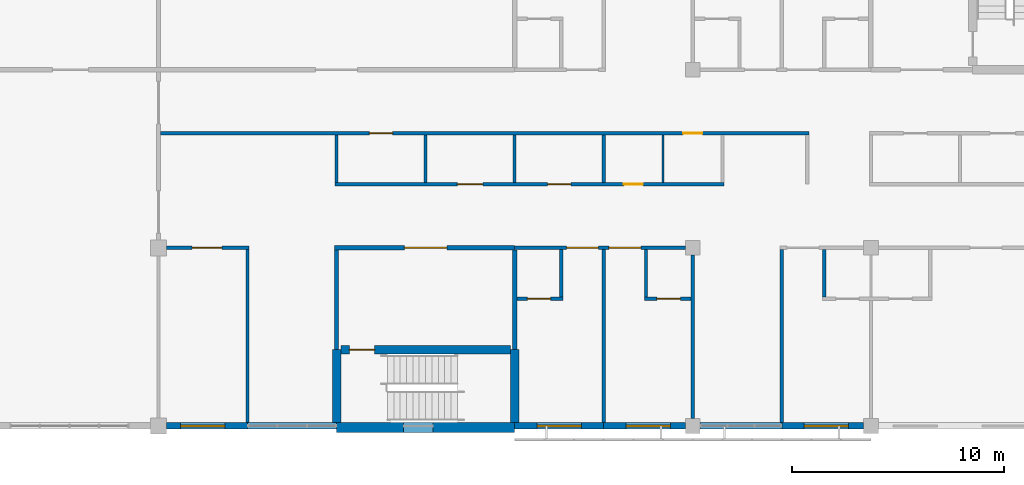
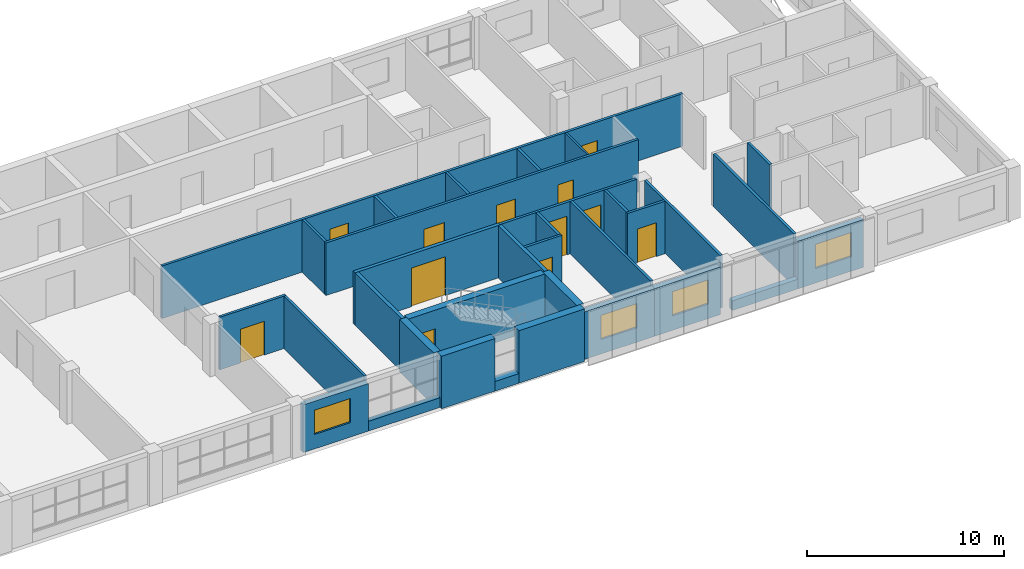
# One storey, part 35 of 45: 33 walls, 12 doors, 4 windows, 16 openings.
"""IFC4 building model written with IfcOpenShell, lengths in metres."""

from ifc_helpers import new_model, si_unit, direction, frame, frame_2d, origin, place, context, subcontext, project, spatial, rectangle, extrude, material, layer, layer_set, type_object, element, fill, save


model = new_model("IFC4")

# Units and contexts
model_context = context("Model", 3, precision=1e-05, world=origin(), true_north=direction((0.0, 1.0)))
body_context = subcontext(model_context, "Body", "Model", "MODEL_VIEW")
ifc_project = project(units=[si_unit("LENGTHUNIT", "METRE"), si_unit("AREAUNIT", "SQUARE_METRE"), si_unit("VOLUMEUNIT", "CUBIC_METRE"), si_unit("PLANEANGLEUNIT", "RADIAN"), si_unit("MASSUNIT", "GRAM", prefix="KILO")], contexts=[model_context])

# Site, building, storey
site_placement = place(None, origin())
site = spatial("IfcSite", under=ifc_project, at=site_placement, CompositionType="ELEMENT")
building_placement = place(site_placement, origin())
building = spatial("IfcBuilding", under=site, at=building_placement, Name="Yavir Park General Hospital", CompositionType="ELEMENT")
storey_placement = place(building_placement, frame((0.0, 0.0, 22.5)))
storey = spatial("IfcBuildingStorey", under=building, at=storey_placement, Name="L05", CompositionType="ELEMENT", Elevation=22.5)

# Wall, opening, door
ifc_material_1 = material(Name="Double gypsum board fire partition on steel studs", Category="steel")
ifc_layer_1 = layer(ifc_material_1, 0.199951171875)
ifc_layer_set_1 = layer_set([ifc_layer_1], Name="Double gypsum board fire partition on steel studs")
wall_type_1 = type_object("IfcWallType", Name="Fire-rated partition 200, EI 60", PredefinedType="PARTITIONING", material=ifc_layer_set_1)
wall_1_placement = place(storey_placement, frame((134.300048828125, 8.39990234375, 0.0), z_axis=(0.0, 0.0, 1.0), x_axis=(1.0, 0.0, 0.0)))
wall_1 = element("IfcWall", 1, at=wall_1_placement, inside=storey, type_object=wall_type_1, Name="FP20 L05-017", PredefinedType="PARTITIONING", context=body_context, shape_type="SweptSolid", body=[
    extrude(rectangle(XDim=8.5, YDim=0.199951171875, at=frame_2d((4.25, 0.0))), origin(), (0.0, 0.0, 1.0), 3.260009765625),
])
opening_1_placement = place(wall_1_placement, frame((3.300048828125, 0.0, 0.0)))
opening_1 = element("IfcOpeningElement", 2, at=opening_1_placement, cuts=wall_1, Name="Opening L05.D021", PredefinedType="OPENING", context=body_context, shape_type="SweptSolid", body=[
    extrude(rectangle(XDim=2.0, YDim=2.39990234375, at=frame_2d((1.0, 1.199951171875))), frame((0.0, 0.10986328125, 0.0), z_axis=(0.0, -1.0, 0.0), x_axis=(1.0, 0.0, 0.0)), (0.0, 0.0, 1.0), 0.219970703125),
])
ifc_material_2 = material(Name="Steel frame, fire-resisting leaves with vision panels", Category="steel")
door_type_1 = type_object("IfcDoorType", Name="Double fire door with vision panels 2000 x 2400, EI 60", OperationType="DOUBLE_DOOR_SINGLE_SWING", PredefinedType="DOOR", material=ifc_material_2)
door_1_placement = place(opening_1_placement, origin())
door_1 = element("IfcDoor", 3, at=door_1_placement, inside=storey, type_object=door_type_1, Name="L05.D021", OperationType="SINGLE_SWING_LEFT", OverallHeight=2.39990234375, OverallWidth=2.0, PredefinedType="DOOR", context=body_context, shape_type="SweptSolid", body=[
    extrude(rectangle(XDim=2.0, YDim=2.39990234375, at=frame_2d((1.0, 1.199951171875))), frame((0.0, 0.030029296875, 0.0), z_axis=(0.0, -1.0, 0.0), x_axis=(1.0, 0.0, 0.0)), (0.0, 0.0, 1.0), 0.06005859375),
])
fill(opening_1, door_1)

# Walls
for number, where, z_axis, x_axis, name in (
    (4, (134.39990234375, 3.60009765625, 0.0), (0.0, 0.0, 1.0), (0.0, 1.0, 0.0), "FP20 L05-240"),
    (5, (142.800048828125, 3.60009765625, 0.0), (0.0, 0.0, 1.0), (0.0, 1.0, 0.0), "FP20 L05-246"),
):
    element("IfcWall", number, at=place(storey_placement, frame(where, z_axis=z_axis, x_axis=x_axis)), inside=storey, type_object=wall_type_1, Name=name, PredefinedType="PARTITIONING", context=body_context, shape_type="SweptSolid", body=[
        extrude(rectangle(XDim=4.699951171875, YDim=0.199951171875, at=frame_2d((2.35009765625, 0.0))), origin(), (0.0, 0.0, 1.0), 3.260009765625),
    ])
ifc_material_3 = material(Name="Gypsum board partition on steel studs", Category="steel")
ifc_layer_2 = layer(ifc_material_3, 0.10009765625)
ifc_layer_set_2 = layer_set([ifc_layer_2], Name="Gypsum board partition on steel studs")
wall_type_2 = type_object("IfcWallType", Name="Gypsum board partition 100", PredefinedType="PARTITIONING", material=ifc_layer_set_2)
wall_2_placement = place(storey_placement, frame((149.800048828125, 11.47509765625, 0.0), z_axis=(0.0, 0.0, 1.0), x_axis=(0.0, 1.0, 0.0)))
element("IfcWall", 6, at=wall_2_placement, inside=storey, type_object=wall_type_2, Name="P10 L05-256", PredefinedType="PARTITIONING", context=body_context, shape_type="SweptSolid", body=[
    extrude(rectangle(XDim=2.25, YDim=0.10009765625, at=frame_2d((1.125, 0.0))), origin(), (0.0, 0.0, 1.0), 3.260009765625),
])

# Wall, opening, door
ifc_material_4 = material(Name="Gypsum board partition on steel studs", Category="steel")
ifc_layer_3 = layer(ifc_material_4, 0.14990234375)
ifc_layer_set_3 = layer_set([ifc_layer_3], Name="Gypsum board partition on steel studs")
wall_type_3 = type_object("IfcWallType", Name="Gypsum board partition 150", PredefinedType="PARTITIONING", material=ifc_layer_set_3)
wall_3_placement = place(storey_placement, frame((142.89990234375, 6.0, 0.0), z_axis=(0.0, 0.0, 1.0), x_axis=(1.0, 0.0, 0.0)))
wall_3 = element("IfcWall", 7, at=wall_3_placement, inside=storey, type_object=wall_type_3, Name="P15 L05-008", PredefinedType="PARTITIONING", context=body_context, shape_type="SweptSolid", body=[
    extrude(rectangle(XDim=2.175048828125, YDim=0.14990234375, at=frame_2d((1.08740234375, 0.0))), origin(), (0.0, 0.0, 1.0), 3.260009765625),
])
opening_2_placement = place(wall_3_placement, frame((0.5, 0.0, 0.0)))
opening_2 = element("IfcOpeningElement", 8, at=opening_2_placement, cuts=wall_3, Name="Opening L05.D009", PredefinedType="OPENING", context=body_context, shape_type="SweptSolid", body=[
    extrude(rectangle(XDim=1.10009765625, YDim=2.10009765625, at=frame_2d((0.550048828125, 1.050048828125))), frame((0.0, 0.0849609375, 0.0), z_axis=(0.0, -1.0, 0.0), x_axis=(1.0, 0.0, 0.0)), (0.0, 0.0, 1.0), 0.169921875),
])
ifc_material_5 = material(Name="Hollow metal frame, solid-core timber leaf", Category="wood")
door_type_2 = type_object("IfcDoorType", Name="Single swing door 1100 x 2100", OperationType="SINGLE_SWING_LEFT", PredefinedType="DOOR", material=ifc_material_5)
door_2_placement = place(opening_2_placement, origin())
door_2 = element("IfcDoor", 9, at=door_2_placement, inside=storey, type_object=door_type_2, Name="L05.D009", OperationType="SINGLE_SWING_LEFT", OverallHeight=2.10009765625, OverallWidth=1.10009765625, PredefinedType="DOOR", context=body_context, shape_type="SweptSolid", body=[
    extrude(rectangle(XDim=1.10009765625, YDim=2.10009765625, at=frame_2d((0.550048828125, 1.050048828125))), frame((0.0, 0.02490234375, 0.0), z_axis=(0.0, -1.0, 0.0), x_axis=(1.0, 0.0, 0.0)), (0.0, 0.0, 1.0), 0.050048828125),
])
fill(opening_2, door_2)

wall_4_placement = place(storey_placement, frame((148.925048828125, 6.0, 0.0), z_axis=(0.0, 0.0, 1.0), x_axis=(1.0, 0.0, 0.0)))
wall_4 = element("IfcWall", 10, at=wall_4_placement, inside=storey, type_object=wall_type_3, Name="P15 L05-009", PredefinedType="PARTITIONING", context=body_context, shape_type="SweptSolid", body=[
    extrude(rectangle(XDim=2.199951171875, YDim=0.14990234375, at=frame_2d((1.10009765625, 0.0))), origin(), (0.0, 0.0, 1.0), 3.260009765625),
])
opening_3_placement = place(wall_4_placement, frame((0.58740234375, 0.0, 0.0)))
opening_3 = element("IfcOpeningElement", 11, at=opening_3_placement, cuts=wall_4, Name="Opening L05.D010", PredefinedType="OPENING", context=body_context, shape_type="SweptSolid", body=[
    extrude(rectangle(XDim=1.10009765625, YDim=2.10009765625, at=frame_2d((0.550048828125, 1.050048828125))), frame((0.0, 0.0849609375, 0.0), z_axis=(0.0, -1.0, 0.0), x_axis=(1.0, 0.0, 0.0)), (0.0, 0.0, 1.0), 0.169921875),
])
door_3_placement = place(opening_3_placement, origin())
door_3 = element("IfcDoor", 12, at=door_3_placement, inside=storey, type_object=door_type_2, Name="L05.D010", OperationType="SINGLE_SWING_RIGHT", OverallHeight=2.10009765625, OverallWidth=1.10009765625, PredefinedType="DOOR", context=body_context, shape_type="SweptSolid", body=[
    extrude(rectangle(XDim=1.10009765625, YDim=2.10009765625, at=frame_2d((0.550048828125, 1.050048828125))), frame((0.0, 0.02490234375, 0.0), z_axis=(0.0, -1.0, 0.0), x_axis=(1.0, 0.0, 0.0)), (0.0, 0.0, 1.0), 0.050048828125),
])
fill(opening_3, door_3)

wall_5_placement = place(storey_placement, frame((126.375, 8.39990234375, 0.0), z_axis=(0.0, 0.0, 1.0), x_axis=(1.0, 0.0, 0.0)))
wall_5 = element("IfcWall", 13, at=wall_5_placement, inside=storey, type_object=wall_type_3, Name="P15 L05-016", PredefinedType="PARTITIONING", context=body_context, shape_type="SweptSolid", body=[
    extrude(rectangle(XDim=3.89990234375, YDim=0.14990234375, at=frame_2d((1.949951171875, 0.0))), origin(), (0.0, 0.0, 1.0), 3.260009765625),
])
opening_4_placement = place(wall_5_placement, frame((1.21240234375, 0.0, 0.0)))
opening_4 = element("IfcOpeningElement", 14, at=opening_4_placement, cuts=wall_5, Name="Opening L05.D020", PredefinedType="OPENING", context=body_context, shape_type="SweptSolid", body=[
    extrude(rectangle(XDim=1.39990234375, YDim=2.10009765625, at=frame_2d((0.699951171875, 1.050048828125))), frame((0.0, 0.0849609375, 0.0), z_axis=(0.0, -1.0, 0.0), x_axis=(1.0, 0.0, 0.0)), (0.0, 0.0, 1.0), 0.169921875),
])
ifc_material_6 = material(Name="Hollow metal frame, solid-core timber leaf", Category="wood")
door_type_3 = type_object("IfcDoorType", Name="Single swing door 1400 x 2100", OperationType="SINGLE_SWING_LEFT", PredefinedType="DOOR", material=ifc_material_6)
door_4_placement = place(opening_4_placement, origin())
door_4 = element("IfcDoor", 15, at=door_4_placement, inside=storey, type_object=door_type_3, Name="L05.D020", OperationType="SINGLE_SWING_RIGHT", OverallHeight=2.10009765625, OverallWidth=1.39990234375, PredefinedType="DOOR", context=body_context, shape_type="SweptSolid", body=[
    extrude(rectangle(XDim=1.39990234375, YDim=2.10009765625, at=frame_2d((0.699951171875, 1.050048828125))), frame((0.0, 0.02490234375, 0.0), z_axis=(0.0, -1.0, 0.0), x_axis=(1.0, 0.0, 0.0)), (0.0, 0.0, 1.0), 0.050048828125),
])
fill(opening_4, door_4)

# Wall, openings, doors
wall_6_placement = place(storey_placement, frame((142.800048828125, 8.39990234375, 0.0), z_axis=(0.0, 0.0, 1.0), x_axis=(1.0, 0.0, 0.0)))
wall_6 = element("IfcWall", 16, at=wall_6_placement, inside=storey, type_object=wall_type_3, Name="P15 L05-018", PredefinedType="PARTITIONING", context=body_context, shape_type="SweptSolid", body=[
    extrude(rectangle(XDim=8.050048828125, YDim=0.14990234375, at=frame_2d((4.02490234375, 0.0))), origin(), (0.0, 0.0, 1.0), 3.260009765625),
])
opening_5_placement = place(wall_6_placement, frame((2.449951171875, 0.0, 0.0)))
opening_5 = element("IfcOpeningElement", 17, at=opening_5_placement, cuts=wall_6, Name="Opening L05.D022", PredefinedType="OPENING", context=body_context, shape_type="SweptSolid", body=[
    extrude(rectangle(XDim=1.5, YDim=2.39990234375, at=frame_2d((0.75, 1.199951171875))), frame((0.0, 0.0849609375, 0.0), z_axis=(0.0, -1.0, 0.0), x_axis=(1.0, 0.0, 0.0)), (0.0, 0.0, 1.0), 0.169921875),
])
opening_6_placement = place(wall_6_placement, frame((4.449951171875, 0.0, 0.0)))
opening_6 = element("IfcOpeningElement", 18, at=opening_6_placement, cuts=wall_6, Name="Opening L05.D023", PredefinedType="OPENING", context=body_context, shape_type="SweptSolid", body=[
    extrude(rectangle(XDim=1.5, YDim=2.39990234375, at=frame_2d((0.75, 1.199951171875))), frame((0.0, 0.0849609375, 0.0), z_axis=(0.0, -1.0, 0.0), x_axis=(1.0, 0.0, 0.0)), (0.0, 0.0, 1.0), 0.169921875),
])
ifc_material_7 = material(Name="Solid-core timber leaves, push plates, kick plates", Category="wood")
door_type_4 = type_object("IfcDoorType", Name="Bed door, unequal leaves 1500 x 2400", OperationType="DOUBLE_DOOR_SINGLE_SWING", PredefinedType="DOOR", material=ifc_material_7)
door_5_placement = place(opening_5_placement, origin())
door_5 = element("IfcDoor", 19, at=door_5_placement, inside=storey, type_object=door_type_4, Name="L05.D022", OperationType="SINGLE_SWING_LEFT", OverallHeight=2.39990234375, OverallWidth=1.5, PredefinedType="DOOR", context=body_context, shape_type="SweptSolid", body=[
    extrude(rectangle(XDim=1.5, YDim=2.39990234375, at=frame_2d((0.75, 1.199951171875))), frame((0.0, 0.030029296875, 0.0), z_axis=(0.0, -1.0, 0.0), x_axis=(1.0, 0.0, 0.0)), (0.0, 0.0, 1.0), 0.06005859375),
])
fill(opening_5, door_5)
door_6_placement = place(opening_6_placement, origin())
door_6 = element("IfcDoor", 20, at=door_6_placement, inside=storey, type_object=door_type_4, Name="L05.D023", OperationType="SINGLE_SWING_LEFT", OverallHeight=2.39990234375, OverallWidth=1.5, PredefinedType="DOOR", context=body_context, shape_type="SweptSolid", body=[
    extrude(rectangle(XDim=1.5, YDim=2.39990234375, at=frame_2d((0.75, 1.199951171875))), frame((0.0, 0.030029296875, 0.0), z_axis=(0.0, -1.0, 0.0), x_axis=(1.0, 0.0, 0.0)), (0.0, 0.0, 1.0), 0.06005859375),
])
fill(opening_6, door_6)

wall_7_placement = place(storey_placement, frame((134.324951171875, 11.39990234375, 0.0), z_axis=(0.0, 0.0, 1.0), x_axis=(1.0, 0.0, 0.0)))
wall_7 = element("IfcWall", 21, at=wall_7_placement, inside=storey, type_object=wall_type_3, Name="P15 L05-023", PredefinedType="PARTITIONING", context=body_context, shape_type="SweptSolid", body=[
    extrude(rectangle(XDim=18.35009765625, YDim=0.14990234375, at=frame_2d((9.175048828125, 0.0))), origin(), (0.0, 0.0, 1.0), 3.260009765625),
])
opening_7_placement = place(wall_7_placement, frame((5.77490234375, 0.0, 0.0)))
opening_7 = element("IfcOpeningElement", 22, at=opening_7_placement, cuts=wall_7, Name="Opening L05.D026", PredefinedType="OPENING", context=body_context, shape_type="SweptSolid", body=[
    extrude(rectangle(XDim=1.199951171875, YDim=2.10009765625, at=frame_2d((0.60009765625, 1.050048828125))), frame((0.0, 0.0849609375, 0.0), z_axis=(0.0, -1.0, 0.0), x_axis=(1.0, 0.0, 0.0)), (0.0, 0.0, 1.0), 0.169921875),
])
opening_8_placement = place(wall_7_placement, frame((10.02490234375, 0.0, 0.0)))
opening_8 = element("IfcOpeningElement", 23, at=opening_8_placement, cuts=wall_7, Name="Opening L05.D027", PredefinedType="OPENING", context=body_context, shape_type="SweptSolid", body=[
    extrude(rectangle(XDim=1.10009765625, YDim=2.10009765625, at=frame_2d((0.550048828125, 1.050048828125))), frame((0.0, 0.0849609375, 0.0), z_axis=(0.0, -1.0, 0.0), x_axis=(1.0, 0.0, 0.0)), (0.0, 0.0, 1.0), 0.169921875),
])
opening_9_placement = place(wall_7_placement, frame((13.625, 0.0, 0.0)))
opening_9 = element("IfcOpeningElement", 24, at=opening_9_placement, cuts=wall_7, Name="Opening L05.D028", PredefinedType="OPENING", context=body_context, shape_type="SweptSolid", body=[
    extrude(rectangle(XDim=0.89990234375, YDim=2.10009765625, at=frame_2d((0.449951171875, 1.050048828125))), frame((0.0, 0.0849609375, 0.0), z_axis=(0.0, -1.0, 0.0), x_axis=(1.0, 0.0, 0.0)), (0.0, 0.0, 1.0), 0.169921875),
])
ifc_material_8 = material(Name="Timber frame, hollow-core leaf", Category="wood")
door_type_5 = type_object("IfcDoorType", Name="Light cupboard door 900 x 2100", OperationType="SINGLE_SWING_LEFT", PredefinedType="DOOR", material=ifc_material_8)
door_7_placement = place(opening_9_placement, origin())
door_7 = element("IfcDoor", 25, at=door_7_placement, inside=storey, type_object=door_type_5, Name="L05.D028", OperationType="SINGLE_SWING_RIGHT", OverallHeight=2.10009765625, OverallWidth=0.89990234375, PredefinedType="DOOR", context=body_context, shape_type="SweptSolid", body=[
    extrude(rectangle(XDim=0.89990234375, YDim=2.10009765625, at=frame_2d((0.449951171875, 1.050048828125))), frame((0.0, 0.02001953125, 0.0), z_axis=(0.0, -1.0, 0.0), x_axis=(1.0, 0.0, 0.0)), (0.0, 0.0, 1.0), 0.0400390625),
])
fill(opening_9, door_7)
door_8_placement = place(opening_8_placement, origin())
door_8 = element("IfcDoor", 26, at=door_8_placement, inside=storey, type_object=door_type_2, Name="L05.D027", OperationType="SINGLE_SWING_RIGHT", OverallHeight=2.10009765625, OverallWidth=1.10009765625, PredefinedType="DOOR", context=body_context, shape_type="SweptSolid", body=[
    extrude(rectangle(XDim=1.10009765625, YDim=2.10009765625, at=frame_2d((0.550048828125, 1.050048828125))), frame((0.0, 0.02490234375, 0.0), z_axis=(0.0, -1.0, 0.0), x_axis=(1.0, 0.0, 0.0)), (0.0, 0.0, 1.0), 0.050048828125),
])
fill(opening_8, door_8)
ifc_material_9 = material(Name="Hollow metal frame, solid-core timber leaf", Category="wood")
door_type_6 = type_object("IfcDoorType", Name="Single swing door 1200 x 2100", OperationType="SINGLE_SWING_LEFT", PredefinedType="DOOR", material=ifc_material_9)
door_9_placement = place(opening_7_placement, origin())
door_9 = element("IfcDoor", 27, at=door_9_placement, inside=storey, type_object=door_type_6, Name="L05.D026", OperationType="SINGLE_SWING_RIGHT", OverallHeight=2.10009765625, OverallWidth=1.199951171875, PredefinedType="DOOR", context=body_context, shape_type="SweptSolid", body=[
    extrude(rectangle(XDim=1.199951171875, YDim=2.10009765625, at=frame_2d((0.60009765625, 1.050048828125))), frame((0.0, 0.02490234375, 0.0), z_axis=(0.0, -1.0, 0.0), x_axis=(1.0, 0.0, 0.0)), (0.0, 0.0, 1.0), 0.050048828125),
])
fill(opening_7, door_9)

wall_8_placement = place(storey_placement, frame((126.10009765625, 13.800048828125, 0.0), z_axis=(0.0, 0.0, 1.0), x_axis=(1.0, 0.0, 0.0)))
wall_8 = element("IfcWall", 28, at=wall_8_placement, inside=storey, type_object=wall_type_3, Name="P15 L05-029", PredefinedType="PARTITIONING", context=body_context, shape_type="SweptSolid", body=[
    extrude(rectangle(XDim=30.574951171875, YDim=0.14990234375, at=frame_2d((15.28759765625, 0.0))), origin(), (0.0, 0.0, 1.0), 3.260009765625),
])
opening_10_placement = place(wall_8_placement, frame((9.85009765625, 0.0, 0.0)))
opening_10 = element("IfcOpeningElement", 29, at=opening_10_placement, cuts=wall_8, Name="Opening L05.D031", PredefinedType="OPENING", context=body_context, shape_type="SweptSolid", body=[
    extrude(rectangle(XDim=1.10009765625, YDim=2.10009765625, at=frame_2d((0.550048828125, 1.050048828125))), frame((0.0, 0.0849609375, 0.0), z_axis=(0.0, -1.0, 0.0), x_axis=(1.0, 0.0, 0.0)), (0.0, 0.0, 1.0), 0.169921875),
])
opening_11_placement = place(wall_8_placement, frame((24.64990234375, 0.0, 0.0)))
opening_11 = element("IfcOpeningElement", 30, at=opening_11_placement, cuts=wall_8, Name="Opening L05.D032", PredefinedType="OPENING", context=body_context, shape_type="SweptSolid", body=[
    extrude(rectangle(XDim=0.89990234375, YDim=2.10009765625, at=frame_2d((0.449951171875, 1.050048828125))), frame((0.0, 0.0849609375, 0.0), z_axis=(0.0, -1.0, 0.0), x_axis=(1.0, 0.0, 0.0)), (0.0, 0.0, 1.0), 0.169921875),
])
door_10_placement = place(opening_11_placement, origin())
door_10 = element("IfcDoor", 31, at=door_10_placement, inside=storey, type_object=door_type_5, Name="L05.D032", OperationType="SINGLE_SWING_LEFT", OverallHeight=2.10009765625, OverallWidth=0.89990234375, PredefinedType="DOOR", context=body_context, shape_type="SweptSolid", body=[
    extrude(rectangle(XDim=0.89990234375, YDim=2.10009765625, at=frame_2d((0.449951171875, 1.050048828125))), frame((0.0, 0.02001953125, 0.0), z_axis=(0.0, -1.0, 0.0), x_axis=(1.0, 0.0, 0.0)), (0.0, 0.0, 1.0), 0.0400390625),
])
fill(opening_11, door_10)
door_11_placement = place(opening_10_placement, origin())
door_11 = element("IfcDoor", 32, at=door_11_placement, inside=storey, type_object=door_type_2, Name="L05.D031", OperationType="SINGLE_SWING_LEFT", OverallHeight=2.10009765625, OverallWidth=1.10009765625, PredefinedType="DOOR", context=body_context, shape_type="SweptSolid", body=[
    extrude(rectangle(XDim=1.10009765625, YDim=2.10009765625, at=frame_2d((0.550048828125, 1.050048828125))), frame((0.0, 0.02490234375, 0.0), z_axis=(0.0, -1.0, 0.0), x_axis=(1.0, 0.0, 0.0)), (0.0, 0.0, 1.0), 0.050048828125),
])
fill(opening_10, door_11)

# Walls
wall_9_placement = place(storey_placement, frame((130.199951171875, 0.14990234375, 0.0), z_axis=(0.0, 0.0, 1.0), x_axis=(0.0, 1.0, 0.0)))
element("IfcWall", 33, at=wall_9_placement, inside=storey, type_object=wall_type_3, Name="P15 L05-237", PredefinedType="PARTITIONING", context=body_context, shape_type="SweptSolid", body=[
    extrude(rectangle(XDim=8.175048828125, YDim=0.14990234375, at=frame_2d((4.08740234375, 0.0))), origin(), (0.0, 0.0, 1.0), 3.260009765625),
])
for number, where, z_axis, x_axis, name in (
    (34, (134.39990234375, 11.47509765625, 0.0), (0.0, 0.0, 1.0), (0.0, 1.0, 0.0), "P15 L05-241"),
    (35, (138.60009765625, 11.47509765625, 0.0), (0.0, 0.0, 1.0), (0.0, 1.0, 0.0), "P15 L05-243"),
    (36, (142.800048828125, 11.47509765625, 0.0), (0.0, 0.0, 1.0), (0.0, 1.0, 0.0), "P15 L05-247"),
    (37, (145.0, 6.074951171875, 0.0), (0.0, 0.0, 1.0), (0.0, 1.0, 0.0), "P15 L05-250"),
):
    element("IfcWall", number, at=place(storey_placement, frame(where, z_axis=z_axis, x_axis=x_axis)), inside=storey, type_object=wall_type_3, Name=name, PredefinedType="PARTITIONING", context=body_context, shape_type="SweptSolid", body=[
        extrude(rectangle(XDim=2.25, YDim=0.14990234375, at=frame_2d((1.125, 0.0))), origin(), (0.0, 0.0, 1.0), 3.260009765625),
    ])
wall_10_placement = place(storey_placement, frame((147.0, 0.14990234375, 0.0), z_axis=(0.0, 0.0, 1.0), x_axis=(0.0, 1.0, 0.0)))
element("IfcWall", 38, at=wall_10_placement, inside=storey, type_object=wall_type_3, Name="P15 L05-252", PredefinedType="PARTITIONING", context=body_context, shape_type="SweptSolid", body=[
    extrude(rectangle(XDim=8.175048828125, YDim=0.14990234375, at=frame_2d((4.08740234375, 0.0))), origin(), (0.0, 0.0, 1.0), 3.260009765625),
])
for number, where, z_axis, x_axis, name in (
    (39, (147.0, 11.47509765625, 0.0), (0.0, 0.0, 1.0), (0.0, 1.0, 0.0), "P15 L05-253"),
    (40, (149.0, 6.074951171875, 0.0), (0.0, 0.0, 1.0), (0.0, 1.0, 0.0), "P15 L05-255"),
):
    element("IfcWall", number, at=place(storey_placement, frame(where, z_axis=z_axis, x_axis=x_axis)), inside=storey, type_object=wall_type_3, Name=name, PredefinedType="PARTITIONING", context=body_context, shape_type="SweptSolid", body=[
        extrude(rectangle(XDim=2.25, YDim=0.14990234375, at=frame_2d((1.125, 0.0))), origin(), (0.0, 0.0, 1.0), 3.260009765625),
    ])
wall_11_placement = place(storey_placement, frame((151.199951171875, 0.35009765625, 0.0), z_axis=(0.0, 0.0, 1.0), x_axis=(0.0, 1.0, 0.0)))
element("IfcWall", 41, at=wall_11_placement, inside=storey, type_object=wall_type_3, Name="P15 L05-257", PredefinedType="PARTITIONING", context=body_context, shape_type="SweptSolid", body=[
    extrude(rectangle(XDim=7.699951171875, YDim=0.14990234375, at=frame_2d((3.85009765625, 0.0))), origin(), (0.0, 0.0, 1.0), 3.260009765625),
])
wall_12_placement = place(storey_placement, frame((155.39990234375, 0.14990234375, 0.0), z_axis=(0.0, 0.0, 1.0), x_axis=(0.0, 1.0, 0.0)))
element("IfcWall", 42, at=wall_12_placement, inside=storey, type_object=wall_type_3, Name="P15 L05-261", PredefinedType="PARTITIONING", context=body_context, shape_type="SweptSolid", body=[
    extrude(rectangle(XDim=8.175048828125, YDim=0.14990234375, at=frame_2d((4.08740234375, 0.0))), origin(), (0.0, 0.0, 1.0), 3.260009765625),
])
wall_13_placement = place(storey_placement, frame((157.39990234375, 6.074951171875, 0.0), z_axis=(0.0, 0.0, 1.0), x_axis=(0.0, 1.0, 0.0)))
element("IfcWall", 43, at=wall_13_placement, inside=storey, type_object=wall_type_3, Name="P15 L05-264", PredefinedType="PARTITIONING", context=body_context, shape_type="SweptSolid", body=[
    extrude(rectangle(XDim=2.25, YDim=0.14990234375, at=frame_2d((1.125, 0.0))), origin(), (0.0, 0.0, 1.0), 3.260009765625),
])

# Wall, opening, window
ifc_material_10 = material(Name="Autoclaved aerated block, mineral wool and ochre mineral render")
ifc_layer_4 = layer(ifc_material_10, 0.300048828125)
ifc_layer_set_4 = layer_set([ifc_layer_4], Name="Autoclaved aerated block, mineral wool and ochre mineral render")
wall_type_4 = type_object("IfcWallType", Name="Ochre render ward wall 300, E 30", PredefinedType="SOLIDWALL", material=ifc_layer_set_4)
wall_14_placement = place(storey_placement, frame((126.375, 0.0, 0.0), z_axis=(0.0, 0.0, 1.0), x_axis=(1.0, 0.0, 0.0)))
wall_14 = element("IfcWall", 44, at=wall_14_placement, inside=storey, type_object=wall_type_4, Name="XW7 L05-022", PredefinedType="SOLIDWALL", context=body_context, shape_type="SweptSolid", body=[
    extrude(rectangle(XDim=3.824951171875, YDim=0.300048828125, at=frame_2d((1.91259765625, 0.0))), origin(), (0.0, 0.0, 1.0), 2.9599609375),
])
opening_12_placement = place(wall_14_placement, frame((0.675048828125, 0.0, 0.89990234375)))
opening_12 = element("IfcOpeningElement", 45, at=opening_12_placement, cuts=wall_14, Name="Opening WAR", PredefinedType="OPENING", context=body_context, shape_type="SweptSolid", body=[
    extrude(rectangle(XDim=2.10009765625, YDim=1.5, at=frame_2d((1.050048828125, 0.75))), frame((0.0, 0.159912109375, 0.0), z_axis=(0.0, -1.0, 0.0), x_axis=(1.0, 0.0, 0.0)), (0.0, 0.0, 1.0), 0.320068359375),
])
ifc_material_11 = material(Name="Aluminium frame, tilt-and-turn sash with opening restrictor, double glazed unit", Category="aluminium")
window_type = type_object("IfcWindowType", Name="Ward window, restricted opening 2100 x 1500", PartitioningType="DOUBLE_PANEL_VERTICAL", PredefinedType="WINDOW", material=ifc_material_11)
window_1_placement = place(opening_12_placement, origin())
window_1 = element("IfcWindow", 46, at=window_1_placement, inside=storey, type_object=window_type, Name="WAR L05-006", OverallHeight=1.5, OverallWidth=2.10009765625, PartitioningType="DOUBLE_PANEL_VERTICAL", PredefinedType="WINDOW", context=body_context, shape_type="SweptSolid", body=[
    extrude(rectangle(XDim=2.10009765625, YDim=1.5, at=frame_2d((1.050048828125, 0.75))), frame((0.0, 0.050048828125, 0.0), z_axis=(0.0, -1.0, 0.0), x_axis=(1.0, 0.0, 0.0)), (0.0, 0.0, 1.0), 0.10009765625),
])
fill(opening_12, window_1)

# Wall
wall_15_placement = place(storey_placement, frame((130.199951171875, 0.0, 0.0), z_axis=(0.0, 0.0, 1.0), x_axis=(1.0, 0.0, 0.0)))
element("IfcWall", 47, at=wall_15_placement, inside=storey, type_object=wall_type_4, Name="XW7 L05-023", PredefinedType="SOLIDWALL", context=body_context, shape_type="SweptSolid", body=[
    extrude(rectangle(XDim=4.199951171875, YDim=0.300048828125, at=frame_2d((2.10009765625, 0.0))), origin(), (0.0, 0.0, 1.0), 0.60009765625),
])

# Wall, opening, window
wall_16_placement = place(storey_placement, frame((142.800048828125, 0.0, 0.0), z_axis=(0.0, 0.0, 1.0), x_axis=(1.0, 0.0, 0.0)))
wall_16 = element("IfcWall", 48, at=wall_16_placement, inside=storey, type_object=wall_type_4, Name="XW7 L05-027", PredefinedType="SOLIDWALL", context=body_context, shape_type="SweptSolid", body=[
    extrude(rectangle(XDim=4.199951171875, YDim=0.300048828125, at=frame_2d((2.10009765625, 0.0))), origin(), (0.0, 0.0, 1.0), 2.9599609375),
])
opening_13_placement = place(wall_16_placement, frame((1.050048828125, 0.0, 0.89990234375)))
opening_13 = element("IfcOpeningElement", 49, at=opening_13_placement, cuts=wall_16, Name="Opening WAR", PredefinedType="OPENING", context=body_context, shape_type="SweptSolid", body=[
    extrude(rectangle(XDim=2.10009765625, YDim=1.5, at=frame_2d((1.050048828125, 0.75))), frame((0.0, 0.159912109375, 0.0), z_axis=(0.0, -1.0, 0.0), x_axis=(1.0, 0.0, 0.0)), (0.0, 0.0, 1.0), 0.320068359375),
])
window_2_placement = place(opening_13_placement, origin())
window_2 = element("IfcWindow", 50, at=window_2_placement, inside=storey, type_object=window_type, Name="WAR L05-007", OverallHeight=1.5, OverallWidth=2.10009765625, PartitioningType="DOUBLE_PANEL_VERTICAL", PredefinedType="WINDOW", context=body_context, shape_type="SweptSolid", body=[
    extrude(rectangle(XDim=2.10009765625, YDim=1.5, at=frame_2d((1.050048828125, 0.75))), frame((0.0, 0.050048828125, 0.0), z_axis=(0.0, -1.0, 0.0), x_axis=(1.0, 0.0, 0.0)), (0.0, 0.0, 1.0), 0.10009765625),
])
fill(opening_13, window_2)

wall_17_placement = place(storey_placement, frame((147.0, 0.0, 0.0), z_axis=(0.0, 0.0, 1.0), x_axis=(1.0, 0.0, 0.0)))
wall_17 = element("IfcWall", 51, at=wall_17_placement, inside=storey, type_object=wall_type_4, Name="XW7 L05-028", PredefinedType="SOLIDWALL", context=body_context, shape_type="SweptSolid", body=[
    extrude(rectangle(XDim=3.85009765625, YDim=0.300048828125, at=frame_2d((1.925048828125, 0.0))), origin(), (0.0, 0.0, 1.0), 2.9599609375),
])
opening_14_placement = place(wall_17_placement, frame((1.050048828125, 0.0, 0.89990234375)))
opening_14 = element("IfcOpeningElement", 52, at=opening_14_placement, cuts=wall_17, Name="Opening WAR", PredefinedType="OPENING", context=body_context, shape_type="SweptSolid", body=[
    extrude(rectangle(XDim=2.10009765625, YDim=1.5, at=frame_2d((1.050048828125, 0.75))), frame((0.0, 0.159912109375, 0.0), z_axis=(0.0, -1.0, 0.0), x_axis=(1.0, 0.0, 0.0)), (0.0, 0.0, 1.0), 0.320068359375),
])
window_3_placement = place(opening_14_placement, origin())
window_3 = element("IfcWindow", 53, at=window_3_placement, inside=storey, type_object=window_type, Name="WAR L05-008", OverallHeight=1.5, OverallWidth=2.10009765625, PartitioningType="DOUBLE_PANEL_VERTICAL", PredefinedType="WINDOW", context=body_context, shape_type="SweptSolid", body=[
    extrude(rectangle(XDim=2.10009765625, YDim=1.5, at=frame_2d((1.050048828125, 0.75))), frame((0.0, 0.050048828125, 0.0), z_axis=(0.0, -1.0, 0.0), x_axis=(1.0, 0.0, 0.0)), (0.0, 0.0, 1.0), 0.10009765625),
])
fill(opening_14, window_3)

# Wall
wall_18_placement = place(storey_placement, frame((151.550048828125, 0.0, 0.0), z_axis=(0.0, 0.0, 1.0), x_axis=(1.0, 0.0, 0.0)))
element("IfcWall", 54, at=wall_18_placement, inside=storey, type_object=wall_type_4, Name="XW7 L05-029", PredefinedType="SOLIDWALL", context=body_context, shape_type="SweptSolid", body=[
    extrude(rectangle(XDim=3.849853515625, YDim=0.300048828125, at=frame_2d((1.9248046875, 0.0))), origin(), (0.0, 0.0, 1.0), 0.60009765625),
])

# Wall, opening, window
wall_19_placement = place(storey_placement, frame((155.39990234375, 0.0, 0.0), z_axis=(0.0, 0.0, 1.0), x_axis=(1.0, 0.0, 0.0)))
wall_19 = element("IfcWall", 55, at=wall_19_placement, inside=storey, type_object=wall_type_4, Name="XW7 L05-030", PredefinedType="SOLIDWALL", context=body_context, shape_type="SweptSolid", body=[
    extrude(rectangle(XDim=3.85009765625, YDim=0.300048828125, at=frame_2d((1.925048828125, 0.0))), origin(), (0.0, 0.0, 1.0), 2.9599609375),
])
opening_15_placement = place(wall_19_placement, frame((1.050048828125, 0.0, 0.89990234375)))
opening_15 = element("IfcOpeningElement", 56, at=opening_15_placement, cuts=wall_19, Name="Opening WAR", PredefinedType="OPENING", context=body_context, shape_type="SweptSolid", body=[
    extrude(rectangle(XDim=2.10009765625, YDim=1.5, at=frame_2d((1.050048828125, 0.75))), frame((0.0, 0.159912109375, 0.0), z_axis=(0.0, -1.0, 0.0), x_axis=(1.0, 0.0, 0.0)), (0.0, 0.0, 1.0), 0.320068359375),
])
window_4_placement = place(opening_15_placement, origin())
window_4 = element("IfcWindow", 57, at=window_4_placement, inside=storey, type_object=window_type, Name="WAR L05-009", OverallHeight=1.5, OverallWidth=2.10009765625, PartitioningType="DOUBLE_PANEL_VERTICAL", PredefinedType="WINDOW", context=body_context, shape_type="SweptSolid", body=[
    extrude(rectangle(XDim=2.10009765625, YDim=1.5, at=frame_2d((1.050048828125, 0.75))), frame((0.0, 0.050048828125, 0.0), z_axis=(0.0, -1.0, 0.0), x_axis=(1.0, 0.0, 0.0)), (0.0, 0.0, 1.0), 0.10009765625),
])
fill(opening_15, window_4)

# Wall, opening, door
ifc_material_12 = material(Name="Concrete C35/45", Category="concrete")
ifc_layer_5 = layer(ifc_material_12, 0.39990234375)
ifc_layer_set_5 = layer_set([ifc_layer_5], Name="Concrete C35/45")
wall_type_5 = type_object("IfcWallType", Name="Reinforced concrete core wall 400, REI 150", PredefinedType="SHEAR", material=ifc_layer_set_5)
wall_20_placement = place(storey_placement, frame((134.60009765625, 3.60009765625, 0.0), z_axis=(0.0, 0.0, 1.0), x_axis=(1.0, 0.0, 0.0)))
wall_20 = element("IfcWall", 58, at=wall_20_placement, inside=storey, type_object=wall_type_5, Name="CW40 L05-003", PredefinedType="SHEAR", context=body_context, shape_type="SweptSolid", body=[
    extrude(rectangle(XDim=8.0, YDim=0.39990234375, at=frame_2d((4.0, 0.0))), origin(), (0.0, 0.0, 1.0), 3.260009765625),
])
opening_16_placement = place(wall_20_placement, frame((0.39990234375, 0.0, 0.0)))
opening_16 = element("IfcOpeningElement", 59, at=opening_16_placement, cuts=wall_20, Name="Opening L05.D003", PredefinedType="OPENING", context=body_context, shape_type="SweptSolid", body=[
    extrude(rectangle(XDim=1.199951171875, YDim=2.10009765625, at=frame_2d((0.60009765625, 1.050048828125))), frame((0.0, 0.2099609375, 0.0), z_axis=(0.0, -1.0, 0.0), x_axis=(1.0, 0.0, 0.0)), (0.0, 0.0, 1.0), 0.419921875),
])
ifc_material_13 = material(Name="Steel frame, fire-resisting timber leaf", Category="steel")
door_type_7 = type_object("IfcDoorType", Name="Fire door 1200 x 2100, EI 60", OperationType="SINGLE_SWING_LEFT", PredefinedType="DOOR", material=ifc_material_13)
door_12_placement = place(opening_16_placement, origin())
door_12 = element("IfcDoor", 60, at=door_12_placement, inside=storey, type_object=door_type_7, Name="L05.D003", OperationType="SINGLE_SWING_LEFT", OverallHeight=2.10009765625, OverallWidth=1.199951171875, PredefinedType="DOOR", context=body_context, shape_type="SweptSolid", body=[
    extrude(rectangle(XDim=1.199951171875, YDim=2.10009765625, at=frame_2d((0.60009765625, 1.050048828125))), frame((0.0, 0.02490234375, 0.0), z_axis=(0.0, -1.0, 0.0), x_axis=(1.0, 0.0, 0.0)), (0.0, 0.0, 1.0), 0.050048828125),
])
fill(opening_16, door_12)

# Walls
for number, where, z_axis, x_axis, name in (
    (61, (134.39990234375, 0.14990234375, 0.0), (0.0, 0.0, 1.0), (0.0, 1.0, 0.0), "CW40 L05-239"),
    (62, (142.800048828125, 0.14990234375, 0.0), (0.0, 0.0, 1.0), (0.0, 1.0, 0.0), "CW40 L05-245"),
):
    element("IfcWall", number, at=place(storey_placement, frame(where, z_axis=z_axis, x_axis=x_axis)), inside=storey, type_object=wall_type_5, Name=name, PredefinedType="SHEAR", context=body_context, shape_type="SweptSolid", body=[
        extrude(rectangle(XDim=3.4501953125, YDim=0.39990234375, at=frame_2d((1.72509765625, 0.0))), origin(), (0.0, 0.0, 1.0), 3.260009765625),
    ])
ifc_material_14 = material(Name="Concrete C30/37 precast panel with 150 mm mineral wool insulation", Category="concrete")
ifc_layer_6 = layer(ifc_material_14, 0.449951171875)
ifc_layer_set_6 = layer_set([ifc_layer_6], Name="Concrete C30/37 precast panel with 150 mm mineral wool insulation")
wall_type_6 = type_object("IfcWallType", Name="Stair enclosure wall 450, REI 150", PredefinedType="SOLIDWALL", material=ifc_layer_set_6)
wall_21_placement = place(storey_placement, frame((134.39990234375, -0.074951171875, 0.0), z_axis=(0.0, 0.0, 1.0), x_axis=(1.0, 0.0, 0.0)))
element("IfcWall", 63, at=wall_21_placement, inside=storey, type_object=wall_type_6, Name="XW6 L05-024", PredefinedType="SOLIDWALL", context=body_context, shape_type="SweptSolid", body=[
    extrude(rectangle(XDim=3.150146484375, YDim=0.449951171875, at=frame_2d((1.5751953125, 0.0))), origin(), (0.0, 0.0, 1.0), 3.260009765625),
])
wall_22_placement = place(storey_placement, frame((138.949951171875, -0.074951171875, 0.0), z_axis=(0.0, 0.0, 1.0), x_axis=(1.0, 0.0, 0.0)))
element("IfcWall", 64, at=wall_22_placement, inside=storey, type_object=wall_type_6, Name="XW6 L05-025", PredefinedType="SOLIDWALL", context=body_context, shape_type="SweptSolid", body=[
    extrude(rectangle(XDim=3.85009765625, YDim=0.449951171875, at=frame_2d((1.925048828125, 0.0))), origin(), (0.0, 0.0, 1.0), 3.260009765625),
])
wall_23_placement = place(storey_placement, frame((137.550048828125, -0.074951171875, 0.0), z_axis=(0.0, 0.0, 1.0), x_axis=(1.0, 0.0, 0.0)))
element("IfcWall", 65, at=wall_23_placement, inside=storey, type_object=wall_type_6, Name="XW6 L05-026", PredefinedType="SOLIDWALL", context=body_context, shape_type="SweptSolid", body=[
    extrude(rectangle(XDim=1.39990234375, YDim=0.449951171875, at=frame_2d((0.699951171875, 0.0))), origin(), (0.0, 0.0, 1.0), 0.60009765625),
])

save(model, "model.ifc")
